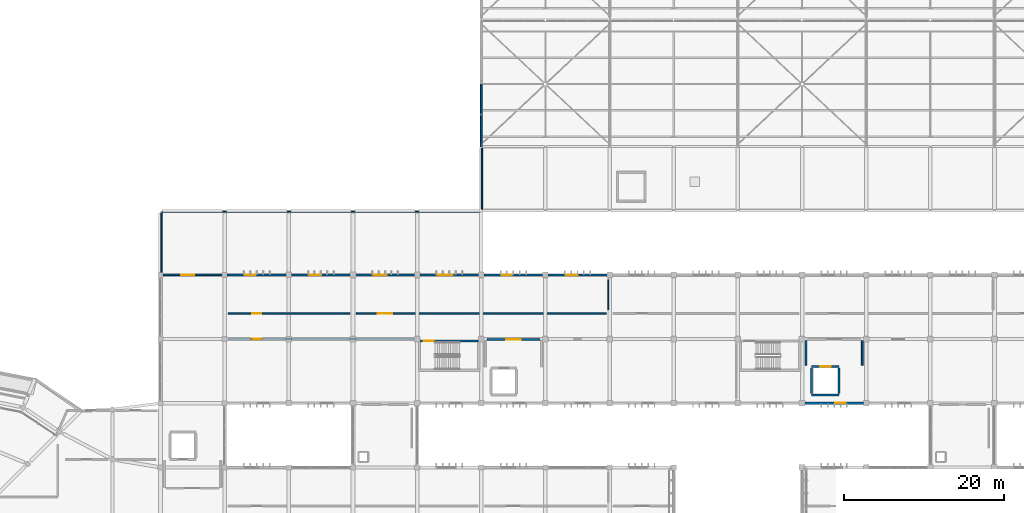
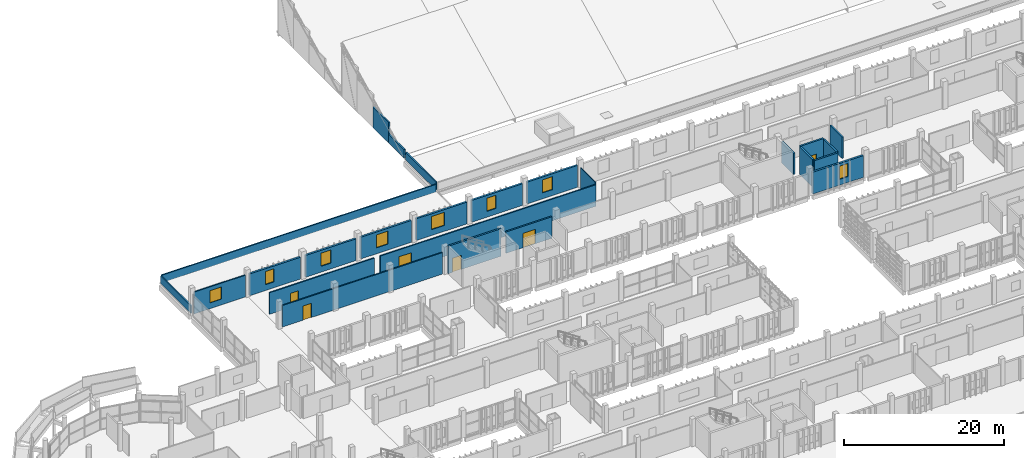
# One storey, part 116 of 137: 25 walls, 8 windows, 6 doors, 14 openings.
"""IFC4 building model written with IfcOpenShell, lengths in metres."""

from ifc_helpers import new_model, si_unit, direction, frame, frame_2d, origin, place, context, subcontext, project, spatial, rectangle, extrude, material, layer, layer_set, type_object, element, fill, save


model = new_model("IFC4")

# Units and contexts
model_context = context("Model", 3, precision=1e-05, world=origin(), true_north=direction((0.0, 1.0)))
body_context = subcontext(model_context, "Body", "Model", "MODEL_VIEW")
ifc_project = project(units=[si_unit("LENGTHUNIT", "METRE"), si_unit("AREAUNIT", "SQUARE_METRE"), si_unit("VOLUMEUNIT", "CUBIC_METRE"), si_unit("PLANEANGLEUNIT", "RADIAN"), si_unit("MASSUNIT", "GRAM", prefix="KILO")], contexts=[model_context])

# Site, building, storey
site_placement = place(None, origin())
site = spatial("IfcSite", under=ifc_project, at=site_placement, CompositionType="ELEMENT")
building_placement = place(site_placement, origin())
building = spatial("IfcBuilding", under=site, at=building_placement, Name="Jelvoka-Kovrelna Polytechnic", CompositionType="ELEMENT")
storey_placement = place(building_placement, frame((0.0, 0.0, 9.60009765625)))
storey = spatial("IfcBuildingStorey", under=building, at=storey_placement, Name="L03", CompositionType="ELEMENT", Elevation=9.60009765625)

# Wall, opening, door
ifc_material_1 = material(Name="Concrete C35/45", Category="concrete")
ifc_layer_1 = layer(ifc_material_1, 0.219970703125)
ifc_layer_set_1 = layer_set([ifc_layer_1], Name="Concrete C35/45")
wall_type_1 = type_object("IfcWallType", Name="Wall_Compartment_220", PredefinedType="PARTITIONING", material=ifc_layer_set_1)
wall_1_placement = place(storey_placement, frame((88.699951171875, 63.949951171875, 0.0), z_axis=(0.0, 0.0, 1.0), x_axis=(1.0, 0.0, 0.0)))
wall_1 = element("IfcWall", 1, at=wall_1_placement, inside=storey, type_object=wall_type_1, Name="L03 interior wall 0282", PredefinedType="PARTITIONING", context=body_context, shape_type="SweptSolid", body=[
    extrude(rectangle(XDim=6.60009765625, YDim=0.219970703125, at=frame_2d((3.300048828125, 0.0))), origin(), (0.0, 0.0, 1.0), 3.27490234375),
])
opening_1_placement = place(wall_1_placement, frame((2.39990234375, 0.0, 0.0)))
opening_1 = element("IfcOpeningElement", 2, at=opening_1_placement, cuts=wall_1, Name="Opening FD-L03-067", PredefinedType="OPENING", context=body_context, shape_type="SweptSolid", body=[
    extrude(rectangle(XDim=1.800048828125, YDim=2.199951171875, at=frame_2d((0.89990234375, 1.10009765625))), frame((0.0, 0.119873046875, 0.0), z_axis=(0.0, -1.0, 0.0), x_axis=(1.0, 0.0, 0.0)), (0.0, 0.0, 1.0), 0.239990234375),
])
ifc_material_2 = material(Name="Paired steel corridor fire door", Category="steel")
door_type_1 = type_object("IfcDoorType", Name="Door_Fire_FD03", OperationType="NOTDEFINED", PredefinedType="DOOR", material=ifc_material_2)
door_1_placement = place(opening_1_placement, origin())
door_1 = element("IfcDoor", 3, at=door_1_placement, inside=storey, type_object=door_type_1, Name="L03 interior door FD-L03-067", OperationType="DOUBLE_DOOR_SINGLE_SWING", OverallHeight=2.199951171875, OverallWidth=1.800048828125, PredefinedType="DOOR", context=body_context, shape_type="SweptSolid", body=[
    extrude(rectangle(XDim=1.800048828125, YDim=2.199951171875, at=frame_2d((0.89990234375, 1.10009765625))), frame((0.0, 0.02490234375, 0.0), z_axis=(0.0, -1.0, 0.0), x_axis=(1.0, 0.0, 0.0)), (0.0, 0.0, 1.0), 0.050048828125),
])
fill(opening_1, door_1)

# Walls
for number, where, z_axis, x_axis, name in (
    (4, (128.5, 60.75, 0.0), (0.0, 0.0, 1.0), (0.0, 1.0, 0.0), "L03 interior wall 0654"),
    (5, (135.5, 60.75, 0.0), (0.0, 0.0, 1.0), (0.0, 1.0, 0.0), "L03 interior wall 0655"),
):
    element("IfcWall", number, at=place(storey_placement, frame(where, z_axis=z_axis, x_axis=x_axis)), inside=storey, type_object=wall_type_1, Name=name, PredefinedType="PARTITIONING", context=body_context, shape_type="SweptSolid", body=[
        extrude(rectangle(XDim=3.050048828125, YDim=0.219970703125, at=frame_2d((1.52490234375, 0.0))), origin(), (0.0, 0.0, 1.0), 3.224853515625),
    ])

# Wall, opening, door
ifc_material_3 = material(Name="Concrete C40/50", Category="concrete")
ifc_layer_2 = layer(ifc_material_3, 0.25)
ifc_layer_set_2 = layer_set([ifc_layer_2], Name="Concrete C40/50")
wall_type_2 = type_object("IfcWallType", Name="Wall_Core_250", PredefinedType="SOLIDWALL", material=ifc_layer_set_2)
wall_2_placement = place(storey_placement, frame((80.199951171875, 63.739990234375, 0.0), z_axis=(0.0, 0.0, 1.0), x_axis=(1.0, 0.0, 0.0)))
wall_2 = element("IfcWall", 6, at=wall_2_placement, inside=storey, type_object=wall_type_2, Name="L03 interior wall 0159", PredefinedType="SOLIDWALL", context=body_context, shape_type="SweptSolid", body=[
    extrude(rectangle(XDim=7.650146484375, YDim=0.25, at=frame_2d((3.8251953125, 0.0))), origin(), (0.0, 0.0, 1.0), 4.199951171875),
])
opening_2_placement = place(wall_2_placement, frame((0.64990234375, 0.0, 0.0)))
opening_2 = element("IfcOpeningElement", 7, at=opening_2_placement, cuts=wall_2, Name="Opening SD-L03-040", PredefinedType="OPENING", context=body_context, shape_type="SweptSolid", body=[
    extrude(rectangle(XDim=1.25, YDim=2.14990234375, at=frame_2d((0.625, 1.074951171875))), frame((0.0, 0.135009765625, 0.0), z_axis=(0.0, -1.0, 0.0), x_axis=(1.0, 0.0, 0.0)), (0.0, 0.0, 1.0), 0.27001953125),
])
ifc_material_4 = material(Name="Powder-coated steel fire door", Category="steel")
door_type_2 = type_object("IfcDoorType", Name="Door_Fire_FD02", OperationType="NOTDEFINED", PredefinedType="DOOR", material=ifc_material_4)
door_2_placement = place(opening_2_placement, origin())
door_2 = element("IfcDoor", 8, at=door_2_placement, inside=storey, type_object=door_type_2, Name="L03 interior door SD-L03-040", OperationType="SINGLE_SWING_LEFT", OverallHeight=2.14990234375, OverallWidth=1.25, PredefinedType="DOOR", context=body_context, shape_type="SweptSolid", body=[
    extrude(rectangle(XDim=1.25, YDim=2.14990234375, at=frame_2d((0.625, 1.074951171875))), frame((0.0, 0.02490234375, 0.0), z_axis=(0.0, -1.0, 0.0), x_axis=(1.0, 0.0, 0.0)), (0.0, 0.0, 1.0), 0.050048828125),
])
fill(opening_2, door_2)

# Wall
wall_3_placement = place(storey_placement, frame((129.199951171875, 57.0, 0.0), z_axis=(0.0, 0.0, 1.0), x_axis=(1.0, 0.0, 0.0)))
element("IfcWall", 9, at=wall_3_placement, inside=storey, type_object=wall_type_2, Name="L03 interior wall 0649", PredefinedType="SOLIDWALL", context=body_context, shape_type="SweptSolid", body=[
    extrude(rectangle(XDim=3.400146484375, YDim=0.25, at=frame_2d((1.7001953125, 0.0))), origin(), (0.0, 0.0, 1.0), 4.199951171875),
])

# Wall, opening, door
wall_4_placement = place(storey_placement, frame((129.199951171875, 60.60009765625, 0.0), z_axis=(0.0, 0.0, 1.0), x_axis=(1.0, 0.0, 0.0)))
wall_4 = element("IfcWall", 10, at=wall_4_placement, inside=storey, type_object=wall_type_2, Name="L03 interior wall 0650", PredefinedType="SOLIDWALL", context=body_context, shape_type="SweptSolid", body=[
    extrude(rectangle(XDim=3.400146484375, YDim=0.25, at=frame_2d((1.7001953125, 0.0))), origin(), (0.0, 0.0, 1.0), 4.199951171875),
])
opening_3_placement = place(wall_4_placement, frame((1.050048828125, 0.0, 0.0)))
opening_3 = element("IfcOpeningElement", 11, at=opening_3_placement, cuts=wall_4, Name="Opening LD-L03-49", PredefinedType="OPENING", context=body_context, shape_type="SweptSolid", body=[
    extrude(rectangle(XDim=1.300048828125, YDim=2.199951171875, at=frame_2d((0.64990234375, 1.10009765625))), frame((0.0, 0.135009765625, 0.0), z_axis=(0.0, -1.0, 0.0), x_axis=(1.0, 0.0, 0.0)), (0.0, 0.0, 1.0), 0.27001953125),
])
ifc_material_5 = material(Name="Heavy-duty stainless goods lift landing door", Category="wood")
door_type_3 = type_object("IfcDoorType", Name="Door_Lift_LD02", OperationType="NOTDEFINED", PredefinedType="DOOR", material=ifc_material_5)
door_3_placement = place(opening_3_placement, origin())
door_3 = element("IfcDoor", 12, at=door_3_placement, inside=storey, type_object=door_type_3, Name="L03 lift landing sliding door LD-L03-49", OperationType="DOUBLE_DOOR_SLIDING", OverallHeight=2.199951171875, OverallWidth=1.300048828125, PredefinedType="DOOR", context=body_context, shape_type="SweptSolid", body=[
    extrude(rectangle(XDim=1.300048828125, YDim=2.199951171875, at=frame_2d((0.64990234375, 1.10009765625))), frame((0.0, 0.02490234375, 0.0), z_axis=(0.0, -1.0, 0.0), x_axis=(1.0, 0.0, 0.0)), (0.0, 0.0, 1.0), 0.050048828125),
])
fill(opening_3, door_3)

# Walls
for number, where, z_axis, x_axis, name in (
    (13, (129.199951171875, 57.199951171875, 0.0), (0.0, 0.0, 1.0), (0.0, 1.0, 0.0), "L03 interior wall 0651"),
    (14, (132.60009765625, 57.199951171875, 0.0), (0.0, 0.0, 1.0), (0.0, 1.0, 0.0), "L03 interior wall 0652"),
):
    element("IfcWall", number, at=place(storey_placement, frame(where, z_axis=z_axis, x_axis=x_axis)), inside=storey, type_object=wall_type_2, Name=name, PredefinedType="SOLIDWALL", context=body_context, shape_type="SweptSolid", body=[
        extrude(rectangle(XDim=3.199951171875, YDim=0.25, at=frame_2d((1.60009765625, 0.0))), origin(), (0.0, 0.0, 1.0), 4.199951171875),
    ])

# Wall, opening, door
ifc_material_6 = material(Name="Autoclaved aerated concrete blockwork", Category="masonry")
ifc_layer_3 = layer(ifc_material_6, 0.179931640625)
ifc_layer_set_3 = layer_set([ifc_layer_3], Name="Autoclaved aerated concrete blockwork")
wall_type_3 = type_object("IfcWallType", Name="Wall_Corridor_180", PredefinedType="PARTITIONING", material=ifc_layer_set_3)
wall_5_placement = place(storey_placement, frame((56.429931640625, 64.0, 0.0), z_axis=(0.0, 0.0, 1.0), x_axis=(1.0, 0.0, 0.0)))
wall_5 = element("IfcWall", 15, at=wall_5_placement, inside=storey, type_object=wall_type_3, Name="L03 interior wall 1063", PredefinedType="PARTITIONING", context=body_context, shape_type="SweptSolid", body=[
    extrude(rectangle(XDim=23.14013671875, YDim=0.179931640625, at=frame_2d((11.570068359375, 0.0))), origin(), (0.0, 0.0, 1.0), 3.27490234375),
])
opening_4_placement = place(wall_5_placement, frame((2.9599609375, 0.0, 0.0)))
opening_4 = element("IfcOpeningElement", 16, at=opening_4_placement, cuts=wall_5, Name="Opening D-L03-301", PredefinedType="OPENING", context=body_context, shape_type="SweptSolid", body=[
    extrude(rectangle(XDim=1.219970703125, YDim=2.179931640625, at=frame_2d((0.60986328125, 1.08984375))), frame((0.0, 0.099853515625, 0.0), z_axis=(0.0, -1.0, 0.0), x_axis=(1.0, 0.0, 0.0)), (0.0, 0.0, 1.0), 0.199951171875),
])
ifc_material_7 = material(Name="Hardwood fire-resisting laboratory door", Category="wood")
door_type_4 = type_object("IfcDoorType", Name="Door_Fire_FD30_04", OperationType="NOTDEFINED", PredefinedType="DOOR", material=ifc_material_7)
door_4_placement = place(opening_4_placement, origin())
door_4 = element("IfcDoor", 17, at=door_4_placement, inside=storey, type_object=door_type_4, Name="L03 interior door D-L03-301", OperationType="SINGLE_SWING_RIGHT", OverallHeight=2.179931640625, OverallWidth=1.219970703125, PredefinedType="DOOR", context=body_context, shape_type="SweptSolid", body=[
    extrude(rectangle(XDim=1.219970703125, YDim=2.179931640625, at=frame_2d((0.60986328125, 1.08984375))), frame((0.0, 0.02490234375, 0.0), z_axis=(0.0, -1.0, 0.0), x_axis=(1.0, 0.0, 0.0)), (0.0, 0.0, 1.0), 0.050048828125),
])
fill(opening_4, door_4)

wall_6_placement = place(storey_placement, frame((56.429931640625, 67.199951171875, 0.0), z_axis=(0.0, 0.0, 1.0), x_axis=(1.0, 0.0, 0.0)))
wall_6 = element("IfcWall", 18, at=wall_6_placement, inside=storey, type_object=wall_type_3, Name="L03 interior wall 1068", PredefinedType="PARTITIONING", context=body_context, shape_type="SweptSolid", body=[
    extrude(rectangle(XDim=15.14013671875, YDim=0.179931640625, at=frame_2d((7.570068359375, 0.0))), origin(), (0.0, 0.0, 1.0), 3.2998046875),
])
opening_5_placement = place(wall_6_placement, frame((3.0, 0.0, 0.0)))
opening_5 = element("IfcOpeningElement", 19, at=opening_5_placement, cuts=wall_6, Name="Opening D-L03-305", PredefinedType="OPENING", context=body_context, shape_type="SweptSolid", body=[
    extrude(rectangle(XDim=1.139892578125, YDim=2.14990234375, at=frame_2d((0.56982421875, 1.074951171875))), frame((0.0, 0.099853515625, 0.0), z_axis=(0.0, -1.0, 0.0), x_axis=(1.0, 0.0, 0.0)), (0.0, 0.0, 1.0), 0.199951171875),
])
ifc_material_8 = material(Name="Laboratory vision-panel door", Category="wood")
door_type_5 = type_object("IfcDoorType", Name="Door_Int_D11", OperationType="NOTDEFINED", PredefinedType="DOOR", material=ifc_material_8)
door_5_placement = place(opening_5_placement, origin())
door_5 = element("IfcDoor", 20, at=door_5_placement, inside=storey, type_object=door_type_5, Name="L03 interior door D-L03-305", OperationType="SINGLE_SWING_LEFT", OverallHeight=2.14990234375, OverallWidth=1.139892578125, PredefinedType="DOOR", context=body_context, shape_type="SweptSolid", body=[
    extrude(rectangle(XDim=1.139892578125, YDim=2.14990234375, at=frame_2d((0.56982421875, 1.074951171875))), frame((0.0, 0.02490234375, 0.0), z_axis=(0.0, -1.0, 0.0), x_axis=(1.0, 0.0, 0.0)), (0.0, 0.0, 1.0), 0.050048828125),
])
fill(opening_5, door_5)

wall_7_placement = place(storey_placement, frame((72.429931640625, 67.199951171875, 0.0), z_axis=(0.0, 0.0, 1.0), x_axis=(1.0, 0.0, 0.0)))
wall_7 = element("IfcWall", 21, at=wall_7_placement, inside=storey, type_object=wall_type_3, Name="L03 interior wall 1069", PredefinedType="PARTITIONING", context=body_context, shape_type="SweptSolid", body=[
    extrude(rectangle(XDim=31.14013671875, YDim=0.179931640625, at=frame_2d((15.570068359375, 0.0))), origin(), (0.0, 0.0, 1.0), 3.2998046875),
])
opening_6_placement = place(wall_7_placement, frame((2.659912109375, 0.0, 0.0)))
opening_6 = element("IfcOpeningElement", 22, at=opening_6_placement, cuts=wall_7, Name="Opening D-L03-306", PredefinedType="OPENING", context=body_context, shape_type="SweptSolid", body=[
    extrude(rectangle(XDim=1.820068359375, YDim=2.25, at=frame_2d((0.91015625, 1.125))), frame((0.0, 0.099853515625, 0.0), z_axis=(0.0, -1.0, 0.0), x_axis=(1.0, 0.0, 0.0)), (0.0, 0.0, 1.0), 0.199951171875),
])
ifc_material_9 = material(Name="Paired hardwood fire-resisting assembly door", Category="wood")
door_type_6 = type_object("IfcDoorType", Name="Door_Fire_FD30_10", OperationType="NOTDEFINED", PredefinedType="DOOR", material=ifc_material_9)
door_6_placement = place(opening_6_placement, origin())
door_6 = element("IfcDoor", 23, at=door_6_placement, inside=storey, type_object=door_type_6, Name="L03 interior door D-L03-306", OperationType="DOUBLE_DOOR_SINGLE_SWING", OverallHeight=2.25, OverallWidth=1.820068359375, PredefinedType="DOOR", context=body_context, shape_type="SweptSolid", body=[
    extrude(rectangle(XDim=1.820068359375, YDim=2.25, at=frame_2d((0.91015625, 1.125))), frame((0.0, 0.02490234375, 0.0), z_axis=(0.0, -1.0, 0.0), x_axis=(1.0, 0.0, 0.0)), (0.0, 0.0, 1.0), 0.050048828125),
])
fill(opening_6, door_6)

# Wall, opening, window
ifc_material_10 = material(Name="Precast concrete C40/50", Category="concrete")
ifc_layer_4 = layer(ifc_material_10, 0.18505859375)
ifc_layer_set_4 = layer_set([ifc_layer_4], Name="Precast concrete C40/50")
wall_type_4 = type_object("IfcWallType", Name="Wall_Ext_White_260", PredefinedType="STANDARD", material=ifc_layer_set_4)
wall_8_placement = place(storey_placement, frame((48.297119140625, 72.0, 0.0), z_axis=(0.0, 0.0, 1.0), x_axis=(1.0, 0.0, 0.0)))
wall_8 = element("IfcWall", 24, at=wall_8_placement, inside=storey, type_object=wall_type_4, Name="L03 exterior wall 0855", PredefinedType="STANDARD", context=body_context, shape_type="SweptSolid", body=[
    extrude(rectangle(XDim=7.40576171875, YDim=0.18505859375, at=frame_2d((3.702880859375, 0.0))), origin(), (0.0, 0.0, 1.0), 3.324951171875),
])
opening_7_placement = place(wall_8_placement, frame((2.282958984375, 0.0, 0.89990234375)))
opening_7 = element("IfcOpeningElement", 25, at=opening_7_placement, cuts=wall_8, Name="Opening W-L03-496", PredefinedType="OPENING", context=body_context, shape_type="SweptSolid", body=[
    extrude(rectangle(XDim=1.64990234375, YDim=1.85009765625, at=frame_2d((0.824951171875, 0.925048828125))), frame((0.0, 0.1025390625, 0.0), z_axis=(0.0, -1.0, 0.0), x_axis=(1.0, 0.0, 0.0)), (0.0, 0.0, 1.0), 0.205078125),
])
ifc_material_11 = material(Name="Thermally broken anodised aluminium and low-e glazing", Category="aluminium")
window_type_1 = type_object("IfcWindowType", Name="Win_Casement_W44", PartitioningType="DOUBLE_PANEL_VERTICAL", PredefinedType="WINDOW", material=ifc_material_11)
window_1_placement = place(opening_7_placement, origin())
window_1 = element("IfcWindow", 26, at=window_1_placement, inside=storey, type_object=window_type_1, Name="L03 aluminium casement window W-L03-496", OverallHeight=1.85009765625, OverallWidth=1.64990234375, PartitioningType="DOUBLE_PANEL_VERTICAL", PredefinedType="WINDOW", context=body_context, shape_type="SweptSolid", body=[
    extrude(rectangle(XDim=1.64990234375, YDim=1.85009765625, at=frame_2d((0.824951171875, 0.925048828125))), frame((0.0, 0.030029296875, 0.0), z_axis=(0.0, -1.0, 0.0), x_axis=(1.0, 0.0, 0.0)), (0.0, 0.0, 1.0), 0.06005859375),
])
fill(opening_7, window_1)

ifc_material_12 = material(Name="Precast concrete C40/50", Category="concrete")
ifc_layer_5 = layer(ifc_material_12, 0.280029296875)
ifc_layer_set_5 = layer_set([ifc_layer_5], Name="Precast concrete C40/50")
wall_type_5 = type_object("IfcWallType", Name="Wall_Ext_White_280", PredefinedType="STANDARD", material=ifc_layer_set_5)
wall_9_placement = place(storey_placement, frame((56.297119140625, 72.0, 0.0), z_axis=(0.0, 0.0, 1.0), x_axis=(1.0, 0.0, 0.0)))
wall_9 = element("IfcWall", 27, at=wall_9_placement, inside=storey, type_object=wall_type_5, Name="L03 exterior wall 0640", PredefinedType="STANDARD", context=body_context, shape_type="SweptSolid", body=[
    extrude(rectangle(XDim=7.35595703125, YDim=0.280029296875, at=frame_2d((3.677978515625, 0.0))), origin(), (0.0, 0.0, 1.0), 3.324951171875),
])
opening_8_placement = place(wall_9_placement, frame((2.282958984375, 0.0, 0.89990234375)))
opening_8 = element("IfcOpeningElement", 28, at=opening_8_placement, cuts=wall_9, Name="Opening W-L03-310", PredefinedType="OPENING", context=body_context, shape_type="SweptSolid", body=[
    extrude(rectangle(XDim=1.25, YDim=2.0, at=frame_2d((0.625, 1.0))), frame((0.0, 0.150146484375, 0.0), z_axis=(0.0, -1.0, 0.0), x_axis=(1.0, 0.0, 0.0)), (0.0, 0.0, 1.0), 0.300048828125),
])
ifc_material_13 = material(Name="Thermally broken anodised aluminium and low-e glazing", Category="aluminium")
window_type_2 = type_object("IfcWindowType", Name="Win_Casement_W52", PartitioningType="SINGLE_PANEL", PredefinedType="WINDOW", material=ifc_material_13)
window_2_placement = place(opening_8_placement, origin())
window_2 = element("IfcWindow", 29, at=window_2_placement, inside=storey, type_object=window_type_2, Name="L03 aluminium casement window W-L03-310", OverallHeight=2.0, OverallWidth=1.25, PartitioningType="SINGLE_PANEL", PredefinedType="WINDOW", context=body_context, shape_type="SweptSolid", body=[
    extrude(rectangle(XDim=1.25, YDim=2.0, at=frame_2d((0.625, 1.0))), frame((0.0, 0.030029296875, 0.0), z_axis=(0.0, -1.0, 0.0), x_axis=(1.0, 0.0, 0.0)), (0.0, 0.0, 1.0), 0.06005859375),
])
fill(opening_8, window_2)

wall_10_placement = place(storey_placement, frame((64.346923828125, 72.0, 0.0), z_axis=(0.0, 0.0, 1.0), x_axis=(1.0, 0.0, 0.0)))
wall_10 = element("IfcWall", 30, at=wall_10_placement, inside=storey, type_object=wall_type_5, Name="L03 exterior wall 0642", PredefinedType="STANDARD", context=body_context, shape_type="SweptSolid", body=[
    extrude(rectangle(XDim=7.30615234375, YDim=0.280029296875, at=frame_2d((3.653076171875, 0.0))), origin(), (0.0, 0.0, 1.0), 3.324951171875),
])
opening_9_placement = place(wall_10_placement, frame((2.23291015625, 0.0, 0.89990234375)))
opening_9 = element("IfcOpeningElement", 31, at=opening_9_placement, cuts=wall_10, Name="Opening W-L03-312", PredefinedType="OPENING", context=body_context, shape_type="SweptSolid", body=[
    extrude(rectangle(XDim=1.449951171875, YDim=2.0, at=frame_2d((0.72509765625, 1.0))), frame((0.0, 0.150146484375, 0.0), z_axis=(0.0, -1.0, 0.0), x_axis=(1.0, 0.0, 0.0)), (0.0, 0.0, 1.0), 0.300048828125),
])
ifc_material_14 = material(Name="Thermally broken anodised aluminium and low-e glazing", Category="aluminium")
window_type_3 = type_object("IfcWindowType", Name="Win_Casement_W53", PartitioningType="SINGLE_PANEL", PredefinedType="WINDOW", material=ifc_material_14)
window_3_placement = place(opening_9_placement, origin())
window_3 = element("IfcWindow", 32, at=window_3_placement, inside=storey, type_object=window_type_3, Name="L03 aluminium casement window W-L03-312", OverallHeight=2.0, OverallWidth=1.449951171875, PartitioningType="SINGLE_PANEL", PredefinedType="WINDOW", context=body_context, shape_type="SweptSolid", body=[
    extrude(rectangle(XDim=1.449951171875, YDim=2.0, at=frame_2d((0.72509765625, 1.0))), frame((0.0, 0.030029296875, 0.0), z_axis=(0.0, -1.0, 0.0), x_axis=(1.0, 0.0, 0.0)), (0.0, 0.0, 1.0), 0.06005859375),
])
fill(opening_9, window_3)

wall_11_placement = place(storey_placement, frame((72.346923828125, 72.0, 0.0), z_axis=(0.0, 0.0, 1.0), x_axis=(1.0, 0.0, 0.0)))
wall_11 = element("IfcWall", 33, at=wall_11_placement, inside=storey, type_object=wall_type_5, Name="L03 exterior wall 0643", PredefinedType="STANDARD", context=body_context, shape_type="SweptSolid", body=[
    extrude(rectangle(XDim=7.30615234375, YDim=0.280029296875, at=frame_2d((3.653076171875, 0.0))), origin(), (0.0, 0.0, 1.0), 3.324951171875),
])
opening_10_placement = place(wall_11_placement, frame((2.23291015625, 0.0, 0.89990234375)))
opening_10 = element("IfcOpeningElement", 34, at=opening_10_placement, cuts=wall_11, Name="Opening W-L03-313", PredefinedType="OPENING", context=body_context, shape_type="SweptSolid", body=[
    extrude(rectangle(XDim=1.64990234375, YDim=2.0, at=frame_2d((0.824951171875, 1.0))), frame((0.0, 0.150146484375, 0.0), z_axis=(0.0, -1.0, 0.0), x_axis=(1.0, 0.0, 0.0)), (0.0, 0.0, 1.0), 0.300048828125),
])
ifc_material_15 = material(Name="Thermally broken anodised aluminium and low-e glazing", Category="aluminium")
window_type_4 = type_object("IfcWindowType", Name="Win_Casement_W54", PartitioningType="DOUBLE_PANEL_VERTICAL", PredefinedType="WINDOW", material=ifc_material_15)
window_4_placement = place(opening_10_placement, origin())
window_4 = element("IfcWindow", 35, at=window_4_placement, inside=storey, type_object=window_type_4, Name="L03 aluminium casement window W-L03-313", OverallHeight=2.0, OverallWidth=1.64990234375, PartitioningType="DOUBLE_PANEL_VERTICAL", PredefinedType="WINDOW", context=body_context, shape_type="SweptSolid", body=[
    extrude(rectangle(XDim=1.64990234375, YDim=2.0, at=frame_2d((0.824951171875, 1.0))), frame((0.0, 0.030029296875, 0.0), z_axis=(0.0, -1.0, 0.0), x_axis=(1.0, 0.0, 0.0)), (0.0, 0.0, 1.0), 0.06005859375),
])
fill(opening_10, window_4)

wall_12_placement = place(storey_placement, frame((80.346923828125, 72.0, 0.0), z_axis=(0.0, 0.0, 1.0), x_axis=(1.0, 0.0, 0.0)))
wall_12 = element("IfcWall", 36, at=wall_12_placement, inside=storey, type_object=wall_type_5, Name="L03 exterior wall 0645", PredefinedType="STANDARD", context=body_context, shape_type="SweptSolid", body=[
    extrude(rectangle(XDim=7.30615234375, YDim=0.280029296875, at=frame_2d((3.653076171875, 0.0))), origin(), (0.0, 0.0, 1.0), 3.324951171875),
])
opening_11_placement = place(wall_12_placement, frame((2.23291015625, 0.0, 0.89990234375)))
opening_11 = element("IfcOpeningElement", 37, at=opening_11_placement, cuts=wall_12, Name="Opening W-L03-315", PredefinedType="OPENING", context=body_context, shape_type="SweptSolid", body=[
    extrude(rectangle(XDim=1.85009765625, YDim=2.0, at=frame_2d((0.925048828125, 1.0))), frame((0.0, 0.150146484375, 0.0), z_axis=(0.0, -1.0, 0.0), x_axis=(1.0, 0.0, 0.0)), (0.0, 0.0, 1.0), 0.300048828125),
])
ifc_material_16 = material(Name="Thermally broken anodised aluminium and low-e glazing", Category="aluminium")
window_type_5 = type_object("IfcWindowType", Name="Win_Casement_W55", PartitioningType="DOUBLE_PANEL_VERTICAL", PredefinedType="WINDOW", material=ifc_material_16)
window_5_placement = place(opening_11_placement, origin())
window_5 = element("IfcWindow", 38, at=window_5_placement, inside=storey, type_object=window_type_5, Name="L03 aluminium casement window W-L03-315", OverallHeight=2.0, OverallWidth=1.85009765625, PartitioningType="DOUBLE_PANEL_VERTICAL", PredefinedType="WINDOW", context=body_context, shape_type="SweptSolid", body=[
    extrude(rectangle(XDim=1.85009765625, YDim=2.0, at=frame_2d((0.925048828125, 1.0))), frame((0.0, 0.030029296875, 0.0), z_axis=(0.0, -1.0, 0.0), x_axis=(1.0, 0.0, 0.0)), (0.0, 0.0, 1.0), 0.06005859375),
])
fill(opening_11, window_5)

wall_13_placement = place(storey_placement, frame((88.346923828125, 72.0, 0.0), z_axis=(0.0, 0.0, 1.0), x_axis=(1.0, 0.0, 0.0)))
wall_13 = element("IfcWall", 39, at=wall_13_placement, inside=storey, type_object=wall_type_5, Name="L03 exterior wall 0647", PredefinedType="STANDARD", context=body_context, shape_type="SweptSolid", body=[
    extrude(rectangle(XDim=7.30615234375, YDim=0.280029296875, at=frame_2d((3.653076171875, 0.0))), origin(), (0.0, 0.0, 1.0), 3.324951171875),
])
opening_12_placement = place(wall_13_placement, frame((2.23291015625, 0.0, 0.89990234375)))
opening_12 = element("IfcOpeningElement", 40, at=opening_12_placement, cuts=wall_13, Name="Opening W-L03-317", PredefinedType="OPENING", context=body_context, shape_type="SweptSolid", body=[
    extrude(rectangle(XDim=1.25, YDim=2.0, at=frame_2d((0.625, 1.0))), frame((0.0, 0.150146484375, 0.0), z_axis=(0.0, -1.0, 0.0), x_axis=(1.0, 0.0, 0.0)), (0.0, 0.0, 1.0), 0.300048828125),
])
window_6_placement = place(opening_12_placement, origin())
window_6 = element("IfcWindow", 41, at=window_6_placement, inside=storey, type_object=window_type_2, Name="L03 aluminium casement window W-L03-317", OverallHeight=2.0, OverallWidth=1.25, PartitioningType="SINGLE_PANEL", PredefinedType="WINDOW", context=body_context, shape_type="SweptSolid", body=[
    extrude(rectangle(XDim=1.25, YDim=2.0, at=frame_2d((0.625, 1.0))), frame((0.0, 0.030029296875, 0.0), z_axis=(0.0, -1.0, 0.0), x_axis=(1.0, 0.0, 0.0)), (0.0, 0.0, 1.0), 0.06005859375),
])
fill(opening_12, window_6)

wall_14_placement = place(storey_placement, frame((96.346923828125, 72.0, 0.0), z_axis=(0.0, 0.0, 1.0), x_axis=(1.0, 0.0, 0.0)))
wall_14 = element("IfcWall", 42, at=wall_14_placement, inside=storey, type_object=wall_type_5, Name="L03 exterior wall 0649", PredefinedType="STANDARD", context=body_context, shape_type="SweptSolid", body=[
    extrude(rectangle(XDim=7.30615234375, YDim=0.280029296875, at=frame_2d((3.653076171875, 0.0))), origin(), (0.0, 0.0, 1.0), 3.324951171875),
])
opening_13_placement = place(wall_14_placement, frame((2.23291015625, 0.0, 0.89990234375)))
opening_13 = element("IfcOpeningElement", 43, at=opening_13_placement, cuts=wall_14, Name="Opening W-L03-319", PredefinedType="OPENING", context=body_context, shape_type="SweptSolid", body=[
    extrude(rectangle(XDim=1.449951171875, YDim=2.0, at=frame_2d((0.72509765625, 1.0))), frame((0.0, 0.150146484375, 0.0), z_axis=(0.0, -1.0, 0.0), x_axis=(1.0, 0.0, 0.0)), (0.0, 0.0, 1.0), 0.300048828125),
])
window_7_placement = place(opening_13_placement, origin())
window_7 = element("IfcWindow", 44, at=window_7_placement, inside=storey, type_object=window_type_3, Name="L03 aluminium casement window W-L03-319", OverallHeight=2.0, OverallWidth=1.449951171875, PartitioningType="SINGLE_PANEL", PredefinedType="WINDOW", context=body_context, shape_type="SweptSolid", body=[
    extrude(rectangle(XDim=1.449951171875, YDim=2.0, at=frame_2d((0.72509765625, 1.0))), frame((0.0, 0.030029296875, 0.0), z_axis=(0.0, -1.0, 0.0), x_axis=(1.0, 0.0, 0.0)), (0.0, 0.0, 1.0), 0.06005859375),
])
fill(opening_13, window_7)

wall_15_placement = place(storey_placement, frame((135.653076171875, 56.0, 0.0), z_axis=(0.0, 0.0, 1.0), x_axis=(-1.0, 0.0, 0.0)))
wall_15 = element("IfcWall", 45, at=wall_15_placement, inside=storey, type_object=wall_type_5, Name="L03 exterior wall 0656", PredefinedType="STANDARD", context=body_context, shape_type="SweptSolid", body=[
    extrude(rectangle(XDim=7.30615234375, YDim=0.280029296875, at=frame_2d((3.653076171875, 0.0))), origin(), (0.0, 0.0, 1.0), 3.324951171875),
])
opening_14_placement = place(wall_15_placement, frame((2.23291015625, 0.0, 0.89990234375)))
opening_14 = element("IfcOpeningElement", 46, at=opening_14_placement, cuts=wall_15, Name="Opening W-L03-326", PredefinedType="OPENING", context=body_context, shape_type="SweptSolid", body=[
    extrude(rectangle(XDim=1.25, YDim=2.0, at=frame_2d((0.625, 1.0))), frame((0.0, 0.150146484375, 0.0), z_axis=(0.0, -1.0, 0.0), x_axis=(1.0, 0.0, 0.0)), (0.0, 0.0, 1.0), 0.300048828125),
])
window_8_placement = place(opening_14_placement, origin())
window_8 = element("IfcWindow", 47, at=window_8_placement, inside=storey, type_object=window_type_2, Name="L03 aluminium casement window W-L03-326", OverallHeight=2.0, OverallWidth=1.25, PartitioningType="SINGLE_PANEL", PredefinedType="WINDOW", context=body_context, shape_type="SweptSolid", body=[
    extrude(rectangle(XDim=1.25, YDim=2.0, at=frame_2d((0.625, 1.0))), frame((0.0, 0.030029296875, 0.0), z_axis=(0.0, -1.0, 0.0), x_axis=(1.0, 0.0, 0.0)), (0.0, 0.0, 1.0), 0.06005859375),
])
fill(opening_14, window_8)

# Walls
ifc_material_17 = material(Name="Precast concrete C40/50", Category="concrete")
ifc_layer_6 = layer(ifc_material_17, 0.179931640625)
ifc_layer_set_6 = layer_set([ifc_layer_6], Name="Precast concrete C40/50")
wall_type_6 = type_object("IfcWallType", Name="Wall_Parapet_180", PredefinedType="PARAPET", material=ifc_layer_set_6)
wall_16_placement = place(storey_placement, frame((87.780029296875, 79.89990234375, 0.0), z_axis=(0.0, 0.0, 1.0), x_axis=(-1.0, 0.0, 0.0)))
element("IfcWall", 48, at=wall_16_placement, inside=storey, type_object=wall_type_6, Name="L03 exterior wall 1190", PredefinedType="PARAPET", context=body_context, shape_type="SweptSolid", body=[
    extrude(rectangle(XDim=39.56005859375, YDim=0.179931640625, at=frame_2d((19.780029296875, 0.0))), origin(), (0.0, 0.0, 1.0), 1.14990234375),
])
for number, where, z_axis, x_axis, name in (
    (49, (48.10009765625, 79.780029296875, 0.0), (0.0, 0.0, 1.0), (0.0, -1.0, 0.0), "L03 exterior wall 1191"),
    (50, (88.10009765625, 87.780029296875, 0.0), (0.0, 0.0, 1.0), (0.0, -1.0, 0.0), "L03 exterior wall 1194"),
):
    element("IfcWall", number, at=place(storey_placement, frame(where, z_axis=z_axis, x_axis=x_axis)), inside=storey, type_object=wall_type_6, Name=name, PredefinedType="PARAPET", context=body_context, shape_type="SweptSolid", body=[
        extrude(rectangle(XDim=7.56005859375, YDim=0.179931640625, at=frame_2d((3.780029296875, 0.0))), origin(), (0.0, 0.0, 1.0), 1.14990234375),
    ])
ifc_material_18 = material(Name="Precast concrete C40/50", Category="concrete")
ifc_layer_7 = layer(ifc_material_18, 0.199951171875)
ifc_layer_set_7 = layer_set([ifc_layer_7], Name="Precast concrete C40/50")
wall_type_7 = type_object("IfcWallType", Name="Wall_Parapet_200", PredefinedType="PARAPET", material=ifc_layer_set_7)
wall_17_placement = place(storey_placement, frame((88.0, 88.0, 0.119873046875), z_axis=(0.0, 0.0, 1.0), x_axis=(0.0, 1.0, 0.0)))
element("IfcWall", 51, at=wall_17_placement, inside=storey, type_object=wall_type_7, Name="L03 exterior wall 0938", PredefinedType="PARAPET", context=body_context, shape_type="SweptSolid", body=[
    extrude(rectangle(XDim=3.89990234375, YDim=0.199951171875, at=frame_2d((1.949951171875, 0.0))), origin(), (0.0, 0.0, 1.0), 1.330078125),
])
wall_18_placement = place(storey_placement, frame((88.0, 91.89990234375, 0.119873046875), z_axis=(0.0, 0.0, 1.0), x_axis=(0.0, 1.0, 0.0)))
element("IfcWall", 52, at=wall_18_placement, inside=storey, type_object=wall_type_7, Name="L03 exterior wall 0939", PredefinedType="PARAPET", context=body_context, shape_type="SweptSolid", body=[
    extrude(rectangle(XDim=3.900146484375, YDim=0.199951171875, at=frame_2d((1.9501953125, 0.0))), origin(), (0.0, 0.0, 1.0), 3.130126953125),
])
ifc_material_19 = material(Name="Autoclaved aerated concrete blockwork", Category="masonry")
ifc_layer_8 = layer(ifc_material_19, 0.14990234375)
ifc_layer_set_8 = layer_set([ifc_layer_8], Name="Autoclaved aerated concrete blockwork")
wall_type_8 = type_object("IfcWallType", Name="Wall_Partition_150", PredefinedType="PARTITIONING", material=ifc_layer_set_8)
wall_19_placement = place(storey_placement, frame((103.820068359375, 67.669921875, 0.0), z_axis=(0.0, 0.0, 1.0), x_axis=(0.0, 1.0, 0.0)))
element("IfcWall", 53, at=wall_19_placement, inside=storey, type_object=wall_type_8, Name="L03 interior wall 1070", PredefinedType="PARTITIONING", context=body_context, shape_type="SweptSolid", body=[
    extrude(rectangle(XDim=3.7099609375, YDim=0.14990234375, at=frame_2d((1.85498046875, 0.0))), origin(), (0.0, 0.0, 1.0), 3.224853515625),
])

save(model, "model.ifc")
